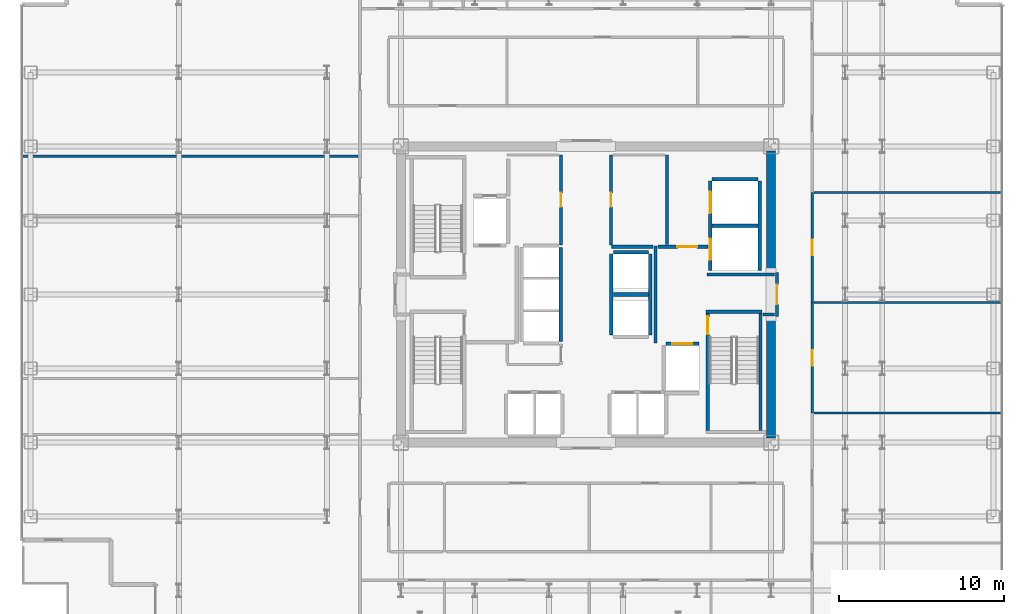
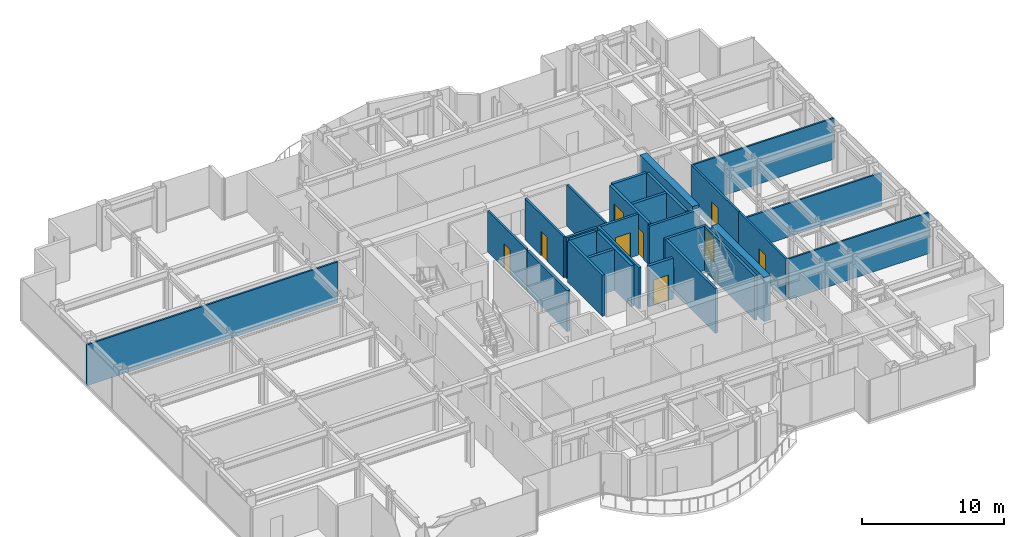
# One storey, part 18 of 23: 30 walls, 10 doors, 10 openings.
"""IFC4 building model written with IfcOpenShell, lengths in metres."""

from ifc_helpers import new_model, si_unit, direction, frame, frame_2d, origin, place, context, subcontext, project, spatial, rectangle, extrude, source, transform, mapped, material, layer, layer_set, type_object, element, fill, save


model = new_model("IFC4")

# Units and contexts
model_context = context("Model", 3, precision=1e-05, world=origin(), true_north=direction((0.0, 1.0)))
body_context = subcontext(model_context, "Body", "Model", "MODEL_VIEW")
ifc_project = project(units=[si_unit("LENGTHUNIT", "METRE"), si_unit("AREAUNIT", "SQUARE_METRE"), si_unit("VOLUMEUNIT", "CUBIC_METRE"), si_unit("PLANEANGLEUNIT", "RADIAN"), si_unit("MASSUNIT", "GRAM", prefix="KILO")], contexts=[model_context])

# Site, building, storey
site_placement = place(None, origin())
site = spatial("IfcSite", under=ifc_project, at=site_placement, CompositionType="ELEMENT")
building_placement = place(site_placement, origin())
building = spatial("IfcBuilding", under=site, at=building_placement, Name="Nefas-Gora Pilgrimage Tower", CompositionType="ELEMENT")
storey_placement = place(building_placement, frame((0.0, 0.0, 164.0)))
storey = spatial("IfcBuildingStorey", under=building, at=storey_placement, Name="L40", CompositionType="ELEMENT", Elevation=164.0)

# Walls
ifc_material_1 = material(Name="Concrete C60/75", Category="concrete")
ifc_layer_1 = layer(ifc_material_1, 0.550048828125)
ifc_layer_set_1 = layer_set([ifc_layer_1], Name="Concrete C60/75")
wall_type_1 = type_object("IfcWallType", Name="SW-CORE-550", PredefinedType="SHEAR", material=ifc_layer_set_1)
shared_shape_1 = source(origin(), body_context, "Body", "SweptSolid", [
    extrude(rectangle(XDim=7.375, YDim=0.550048828125, at=frame_2d((3.6875, 0.0))), origin(), (0.0, 0.0, 1.0), 3.800048828125),
])
for number, where, z_axis, x_axis, name in (
    (1, (11.25, -8.72509765625, 0.0), (0.0, 0.0, 1.0), (0.0, 1.0, 0.0), "L40 Core Shear Wall E-South"),
    (2, (11.25, 1.35009765625, 0.0), (0.0, 0.0, 1.0), (0.0, 1.0, 0.0), "L40 Core Shear Wall E-North"),
):
    element("IfcWall", number, at=place(storey_placement, frame(where, z_axis=z_axis, x_axis=x_axis)), inside=storey, type_object=wall_type_1, Name=name, PredefinedType="SHEAR", context=body_context, shape_type="MappedRepresentation", body=[
        mapped(shared_shape_1, transform((0.0, 0.0, 0.0), x_axis=(1.0, 0.0, 0.0), y_axis=(0.0, 1.0, 0.0), z_axis=(0.0, 0.0, 1.0), scale=1.0)),
    ])
ifc_material_2 = material(Name="Concrete C45/55", Category="concrete")
ifc_layer_2 = layer(ifc_material_2, 0.199951171875)
ifc_layer_set_2 = layer_set([ifc_layer_2], Name="Concrete C45/55")
wall_type_2 = type_object("IfcWallType", Name="IW-STAIR-200", PredefinedType="SOLIDWALL", material=ifc_layer_set_2)
shared_shape_2 = source(origin(), body_context, "Body", "SweptSolid", [
    extrude(rectangle(XDim=3.39990234375, YDim=0.199951171875, at=frame_2d((1.699951171875, 0.0))), origin(), (0.0, 0.0, 1.0), 3.800048828125),
])
wall_1_placement = place(storey_placement, frame((7.300048828125, -1.050048828125, 0.0), z_axis=(0.0, 0.0, 1.0), x_axis=(1.0, 0.0, 0.0)))
element("IfcWall", 3, at=wall_1_placement, inside=storey, type_object=wall_type_2, Name="L40 Stairwell Shear Wall ST-02-near", PredefinedType="SOLIDWALL", context=body_context, shape_type="MappedRepresentation", body=[
    mapped(shared_shape_2, transform((0.0, 0.0, 0.0), x_axis=(1.0, 0.0, 0.0), y_axis=(0.0, 1.0, 0.0), z_axis=(0.0, 0.0, 1.0), scale=1.0)),
])

# Wall, opening, door
shared_shape_3 = source(origin(), body_context, "Body", "SweptSolid", [
    extrude(rectangle(XDim=7.10009765625, YDim=0.199951171875, at=frame_2d((3.550048828125, 0.0))), origin(), (0.0, 0.0, 1.0), 3.800048828125),
])
wall_2_placement = place(storey_placement, frame((7.39990234375, -1.14990234375, 0.0), z_axis=(0.0, 0.0, 1.0), x_axis=(0.0, -1.0, 0.0)))
wall_2 = element("IfcWall", 4, at=wall_2_placement, inside=storey, type_object=wall_type_2, Name="L40 Stairwell Shear Wall ST-02-left", PredefinedType="SOLIDWALL", context=body_context, shape_type="MappedRepresentation", body=[
    mapped(shared_shape_3, transform((0.0, 0.0, 0.0), x_axis=(1.0, 0.0, 0.0), y_axis=(0.0, 1.0, 0.0), z_axis=(0.0, 0.0, 1.0), scale=1.0)),
])
opening_1_placement = place(wall_2_placement, frame((0.179931640625, 0.0, 0.0)))
opening_1 = element("IfcOpeningElement", 5, at=opening_1_placement, cuts=wall_2, Name="Opening ID-ST1", PredefinedType="OPENING", context=body_context, shape_type="SweptSolid", body=[
    extrude(rectangle(XDim=1.10009765625, YDim=2.14990234375, at=frame_2d((0.550048828125, 1.074951171875))), frame((0.0, 0.10986328125, 0.0), z_axis=(0.0, -1.0, 0.0), x_axis=(1.0, 0.0, 0.0)), (0.0, 0.0, 1.0), 0.219970703125),
])
ifc_material_3 = material(Name="Painted galvanised steel fire stair door", Category="steel")
door_type_1 = type_object("IfcDoorType", Name="DR-INT-STAIR-1100", OperationType="NOTDEFINED", PredefinedType="DOOR", material=ifc_material_3)
shared_shape_4 = source(origin(), body_context, "Body", "SweptSolid", [
    extrude(rectangle(XDim=1.10009765625, YDim=2.14990234375, at=frame_2d((0.550048828125, 1.074951171875))), frame((0.0, 0.02490234375, 0.0), z_axis=(0.0, -1.0, 0.0), x_axis=(1.0, 0.0, 0.0)), (0.0, 0.0, 1.0), 0.050048828125),
])
door_1_placement = place(opening_1_placement, origin())
door_1 = element("IfcDoor", 6, at=door_1_placement, inside=storey, type_object=door_type_1, Name="L40 Protected Exit Stair Door ST-02", OperationType="SINGLE_SWING_LEFT", OverallHeight=2.14990234375, OverallWidth=1.10009765625, PredefinedType="DOOR", context=body_context, shape_type="MappedRepresentation", body=[
    mapped(shared_shape_4, transform((0.0, 0.0, 0.0), x_axis=(1.0, 0.0, 0.0), y_axis=(0.0, 1.0, 0.0), z_axis=(0.0, 0.0, 1.0), scale=1.0)),
])
fill(opening_1, door_1)

# Wall
wall_3_placement = place(storey_placement, frame((10.60009765625, -1.14990234375, 0.0), z_axis=(0.0, 0.0, 1.0), x_axis=(0.0, -1.0, 0.0)))
element("IfcWall", 7, at=wall_3_placement, inside=storey, type_object=wall_type_2, Name="L40 Stairwell Shear Wall ST-02-right", PredefinedType="SOLIDWALL", context=body_context, shape_type="MappedRepresentation", body=[
    mapped(shared_shape_3, transform((0.0, 0.0, 0.0), x_axis=(1.0, 0.0, 0.0), y_axis=(0.0, 1.0, 0.0), z_axis=(0.0, 0.0, 1.0), scale=1.0)),
])

# Wall, opening, door
ifc_material_4 = material(Name="Concrete C40/50", Category="concrete")
ifc_layer_3 = layer(ifc_material_4, 0.219970703125)
ifc_layer_set_3 = layer_set([ifc_layer_3], Name="Concrete C40/50")
wall_type_3 = type_object("IfcWallType", Name="IW-SHAFT-220", PredefinedType="SOLIDWALL", material=ifc_layer_set_3)
shared_shape_5 = source(origin(), body_context, "Body", "SweptSolid", [
    extrude(rectangle(XDim=2.0, YDim=0.219970703125, at=frame_2d((1.0, 0.0))), origin(), (0.0, 0.0, 1.0), 3.534912109375),
])
wall_4_placement = place(storey_placement, frame((6.85009765625, -2.989990234375, 0.0), z_axis=(0.0, 0.0, 1.0), x_axis=(-1.0, 0.0, 0.0)))
wall_4 = element("IfcWall", 8, at=wall_4_placement, inside=storey, type_object=wall_type_3, Name="L40 Hoistway Wall FFL-02-N", PredefinedType="SOLIDWALL", context=body_context, shape_type="MappedRepresentation", body=[
    mapped(shared_shape_5, transform((0.0, 0.0, 0.0), x_axis=(1.0, 0.0, 0.0), y_axis=(0.0, 1.0, 0.0), z_axis=(0.0, 0.0, 1.0), scale=1.0)),
])
opening_2_placement = place(wall_4_placement, frame((0.39990234375, 0.0, 0.0)))
opening_2 = element("IfcOpeningElement", 9, at=opening_2_placement, cuts=wall_4, Name="Opening LD-FF", PredefinedType="OPENING", context=body_context, shape_type="SweptSolid", body=[
    extrude(rectangle(XDim=1.199951171875, YDim=2.199951171875, at=frame_2d((0.60009765625, 1.10009765625))), frame((0.0, 0.119873046875, 0.0), z_axis=(0.0, -1.0, 0.0), x_axis=(1.0, 0.0, 0.0)), (0.0, 0.0, 1.0), 0.239990234375),
])
ifc_material_5 = material(Name="Fire-service sliding lift landing door")
door_type_2 = type_object("IfcDoorType", Name="DR-LIFT-FSAE-1200", OperationType="SLIDING_TO_LEFT", PredefinedType="DOOR", material=ifc_material_5)
shared_shape_6 = source(origin(), body_context, "Body", "SweptSolid", [
    extrude(rectangle(XDim=1.199951171875, YDim=2.199951171875, at=frame_2d((0.60009765625, 1.10009765625))), frame((0.0, 0.02490234375, 0.0), z_axis=(0.0, -1.0, 0.0), x_axis=(1.0, 0.0, 0.0)), (0.0, 0.0, 1.0), 0.050048828125),
])
door_2_placement = place(opening_2_placement, origin())
door_2 = element("IfcDoor", 10, at=door_2_placement, inside=storey, type_object=door_type_2, Name="L40 Sliding Lift Landing Door FFL-02", OperationType="SLIDING_TO_LEFT", OverallHeight=2.199951171875, OverallWidth=1.199951171875, PredefinedType="DOOR", context=body_context, shape_type="MappedRepresentation", body=[
    mapped(shared_shape_6, transform((0.0, 0.0, 0.0), x_axis=(1.0, 0.0, 0.0), y_axis=(0.0, 1.0, 0.0), z_axis=(0.0, 0.0, 1.0), scale=1.0)),
])
fill(opening_2, door_2)

# Wall, openings, doors
shared_shape_7 = source(origin(), body_context, "Body", "SweptSolid", [
    extrude(rectangle(XDim=5.449951171875, YDim=0.219970703125, at=frame_2d((2.72509765625, 0.0))), origin(), (0.0, 0.0, 1.0), 3.534912109375),
])
wall_5_placement = place(storey_placement, frame((7.5400390625, 6.89990234375, 0.0), z_axis=(0.0, 0.0, 1.0), x_axis=(0.0, -1.0, 0.0)))
wall_5 = element("IfcWall", 11, at=wall_5_placement, inside=storey, type_object=wall_type_3, Name="L40 Hoistway Wall SL-01-02-W", PredefinedType="SOLIDWALL", context=body_context, shape_type="MappedRepresentation", body=[
    mapped(shared_shape_7, transform((0.0, 0.0, 0.0), x_axis=(1.0, 0.0, 0.0), y_axis=(0.0, 1.0, 0.0), z_axis=(0.0, 0.0, 1.0), scale=1.0)),
])
opening_3_placement = place(wall_5_placement, frame((3.5, 0.0, 0.0)))
opening_3 = element("IfcOpeningElement", 12, at=opening_3_placement, cuts=wall_5, Name="Opening LD-SV", PredefinedType="OPENING", context=body_context, shape_type="SweptSolid", body=[
    extrude(rectangle(XDim=1.300048828125, YDim=2.300048828125, at=frame_2d((0.64990234375, 1.14990234375))), frame((0.0, 0.119873046875, 0.0), z_axis=(0.0, -1.0, 0.0), x_axis=(1.0, 0.0, 0.0)), (0.0, 0.0, 1.0), 0.239990234375),
])
opening_4_placement = place(wall_5_placement, frame((0.64990234375, 0.0, 0.0)))
opening_4 = element("IfcOpeningElement", 13, at=opening_4_placement, cuts=wall_5, Name="Opening LD-SV", PredefinedType="OPENING", context=body_context, shape_type="SweptSolid", body=[
    extrude(rectangle(XDim=1.300048828125, YDim=2.300048828125, at=frame_2d((0.64990234375, 1.14990234375))), frame((0.0, 0.119873046875, 0.0), z_axis=(0.0, -1.0, 0.0), x_axis=(1.0, 0.0, 0.0)), (0.0, 0.0, 1.0), 0.239990234375),
])
ifc_material_6 = material(Name="Heavy goods sliding lift landing door")
door_type_3 = type_object("IfcDoorType", Name="DR-LIFT-SERV-1300", OperationType="SLIDING_TO_RIGHT", PredefinedType="DOOR", material=ifc_material_6)
shared_shape_8 = source(origin(), body_context, "Body", "SweptSolid", [
    extrude(rectangle(XDim=1.300048828125, YDim=2.300048828125, at=frame_2d((0.64990234375, 1.14990234375))), frame((0.0, 0.02490234375, 0.0), z_axis=(0.0, -1.0, 0.0), x_axis=(1.0, 0.0, 0.0)), (0.0, 0.0, 1.0), 0.050048828125),
])
door_3_placement = place(opening_3_placement, origin())
door_3 = element("IfcDoor", 14, at=door_3_placement, inside=storey, type_object=door_type_3, Name="L40 Sliding Lift Landing Door SL-01", OperationType="SLIDING_TO_RIGHT", OverallHeight=2.300048828125, OverallWidth=1.300048828125, PredefinedType="DOOR", context=body_context, shape_type="MappedRepresentation", body=[
    mapped(shared_shape_8, transform((0.0, 0.0, 0.0), x_axis=(1.0, 0.0, 0.0), y_axis=(0.0, 1.0, 0.0), z_axis=(0.0, 0.0, 1.0), scale=1.0)),
])
fill(opening_3, door_3)
door_4_placement = place(opening_4_placement, origin())
door_4 = element("IfcDoor", 15, at=door_4_placement, inside=storey, type_object=door_type_3, Name="L40 Sliding Lift Landing Door SL-02", OperationType="SLIDING_TO_RIGHT", OverallHeight=2.300048828125, OverallWidth=1.300048828125, PredefinedType="DOOR", context=body_context, shape_type="MappedRepresentation", body=[
    mapped(shared_shape_8, transform((0.0, 0.0, 0.0), x_axis=(1.0, 0.0, 0.0), y_axis=(0.0, 1.0, 0.0), z_axis=(0.0, 0.0, 1.0), scale=1.0)),
])
fill(opening_4, door_4)

# Walls
wall_6_placement = place(storey_placement, frame((10.56005859375, 1.449951171875, 0.0), z_axis=(0.0, 0.0, 1.0), x_axis=(0.0, 1.0, 0.0)))
element("IfcWall", 16, at=wall_6_placement, inside=storey, type_object=wall_type_3, Name="L40 Hoistway Wall SL-01-02-E", PredefinedType="SOLIDWALL", context=body_context, shape_type="MappedRepresentation", body=[
    mapped(shared_shape_7, transform((0.0, 0.0, 0.0), x_axis=(1.0, 0.0, 0.0), y_axis=(0.0, 1.0, 0.0), z_axis=(0.0, 0.0, 1.0), scale=1.0)),
])
shared_shape_9 = source(origin(), body_context, "Body", "SweptSolid", [
    extrude(rectangle(XDim=2.780029296875, YDim=0.219970703125, at=frame_2d((1.39013671875, 0.0))), origin(), (0.0, 0.0, 1.0), 3.534912109375),
])
for number, where, z_axis, x_axis, name in (
    (17, (7.659912109375, 4.175048828125, 0.0), (0.0, 0.0, 1.0), (1.0, 0.0, 0.0), "L40 Hoistway Wall SL-01-02-DIV"),
    (18, (10.43994140625, 7.010009765625, 0.0), (0.0, 0.0, 1.0), (-1.0, 0.0, 0.0), "L40 Hoistway Wall SL-02-N"),
):
    element("IfcWall", number, at=place(storey_placement, frame(where, z_axis=z_axis, x_axis=x_axis)), inside=storey, type_object=wall_type_3, Name=name, PredefinedType="SOLIDWALL", context=body_context, shape_type="MappedRepresentation", body=[
        mapped(shared_shape_9, transform((0.0, 0.0, 0.0), x_axis=(1.0, 0.0, 0.0), y_axis=(0.0, 1.0, 0.0), z_axis=(0.0, 0.0, 1.0), scale=1.0)),
    ])
shared_shape_10 = source(origin(), body_context, "Body", "SweptSolid", [
    extrude(rectangle(XDim=5.7001953125, YDim=0.219970703125, at=frame_2d((2.85009765625, 0.0))), origin(), (0.0, 0.0, 1.0), 3.534912109375),
])
wall_7_placement = place(storey_placement, frame((-1.5400390625, -2.85009765625, 0.0), z_axis=(0.0, 0.0, 1.0), x_axis=(0.0, 1.0, 0.0)))
element("IfcWall", 19, at=wall_7_placement, inside=storey, type_object=wall_type_3, Name="L40 Hoistway Wall PL3-01-03-E", PredefinedType="SOLIDWALL", context=body_context, shape_type="MappedRepresentation", body=[
    mapped(shared_shape_10, transform((0.0, 0.0, 0.0), x_axis=(1.0, 0.0, 0.0), y_axis=(0.0, 1.0, 0.0), z_axis=(0.0, 0.0, 1.0), scale=1.0)),
])
shared_shape_11 = source(origin(), body_context, "Body", "SweptSolid", [
    extrude(rectangle(XDim=2.130126953125, YDim=0.219970703125, at=frame_2d((1.06494140625, 0.0))), origin(), (0.0, 0.0, 1.0), 3.534912109375),
])
for number, where, z_axis, x_axis, name in (
    (20, (1.659912109375, 0.0, 0.0), (0.0, 0.0, 1.0), (1.0, 0.0, 0.0), "L40 Hoistway Wall OBS-01-02-DIV"),
    (21, (3.7900390625, 2.56005859375, 0.0), (0.0, 0.0, 1.0), (-1.0, 0.0, 0.0), "L40 Hoistway Wall OBS-02-N"),
):
    element("IfcWall", number, at=place(storey_placement, frame(where, z_axis=z_axis, x_axis=x_axis)), inside=storey, type_object=wall_type_3, Name=name, PredefinedType="SOLIDWALL", context=body_context, shape_type="MappedRepresentation", body=[
        mapped(shared_shape_11, transform((0.0, 0.0, 0.0), x_axis=(1.0, 0.0, 0.0), y_axis=(0.0, 1.0, 0.0), z_axis=(0.0, 0.0, 1.0), scale=1.0)),
    ])
shared_shape_12 = source(origin(), body_context, "Body", "SweptSolid", [
    extrude(rectangle(XDim=4.89990234375, YDim=0.219970703125, at=frame_2d((2.449951171875, 0.0))), origin(), (0.0, 0.0, 1.0), 3.534912109375),
])
for number, where, z_axis, x_axis, name in (
    (22, (1.5400390625, 2.449951171875, 0.0), (0.0, 0.0, 1.0), (0.0, -1.0, 0.0), "L40 Hoistway Wall OBS-01-02-W"),
    (23, (3.909912109375, -2.449951171875, 0.0), (0.0, 0.0, 1.0), (0.0, 1.0, 0.0), "L40 Hoistway Wall OBS-01-02-E"),
):
    element("IfcWall", number, at=place(storey_placement, frame(where, z_axis=z_axis, x_axis=x_axis)), inside=storey, type_object=wall_type_3, Name=name, PredefinedType="SOLIDWALL", context=body_context, shape_type="MappedRepresentation", body=[
        mapped(shared_shape_12, transform((0.0, 0.0, 0.0), x_axis=(1.0, 0.0, 0.0), y_axis=(0.0, 1.0, 0.0), z_axis=(0.0, 0.0, 1.0), scale=1.0)),
    ])

# Wall, opening, door
ifc_material_7 = material(Name="Gypsum fire-rated shaftwall")
ifc_layer_4 = layer(ifc_material_7, 0.199951171875)
ifc_layer_set_4 = layer_set([ifc_layer_4], Name="Gypsum fire-rated shaftwall")
wall_type_4 = type_object("IfcWallType", Name="IW-FFLOB-200", PredefinedType="PARTITIONING", material=ifc_layer_set_4)
shared_shape_13 = source(origin(), body_context, "Body", "SweptSolid", [
    extrude(rectangle(XDim=2.7001953125, YDim=0.199951171875, at=frame_2d((1.35009765625, 0.0))), origin(), (0.0, 0.0, 1.0), 2.425048828125),
])
wall_8_placement = place(storey_placement, frame((11.60009765625, -1.35009765625, 0.0), z_axis=(0.0, 0.0, 1.0), x_axis=(0.0, 1.0, 0.0)))
wall_8 = element("IfcWall", 24, at=wall_8_placement, inside=storey, type_object=wall_type_4, Name="L40 FF Lobby East Portal Wall 9", PredefinedType="PARTITIONING", context=body_context, shape_type="MappedRepresentation", body=[
    mapped(shared_shape_13, transform((0.0, 0.0, 0.0), x_axis=(1.0, 0.0, 0.0), y_axis=(0.0, 1.0, 0.0), z_axis=(0.0, 0.0, 1.0), scale=1.0)),
])
opening_5_placement = place(wall_8_placement, frame((0.75, 0.0, 0.0)))
opening_5 = element("IfcOpeningElement", 25, at=opening_5_placement, cuts=wall_8, Name="Opening ID-FF1", PredefinedType="OPENING", context=body_context, shape_type="SweptSolid", body=[
    extrude(rectangle(XDim=1.199951171875, YDim=2.14990234375, at=frame_2d((0.60009765625, 1.074951171875))), frame((0.0, 0.10986328125, 0.0), z_axis=(0.0, -1.0, 0.0), x_axis=(1.0, 0.0, 0.0)), (0.0, 0.0, 1.0), 0.219970703125),
])
ifc_material_8 = material(Name="Smoke-sealed steel firefighting lobby door", Category="steel")
door_type_4 = type_object("IfcDoorType", Name="DR-INT-FFLOB-1200", OperationType="NOTDEFINED", PredefinedType="DOOR", material=ifc_material_8)
shared_shape_14 = source(origin(), body_context, "Body", "SweptSolid", [
    extrude(rectangle(XDim=1.199951171875, YDim=2.14990234375, at=frame_2d((0.60009765625, 1.074951171875))), frame((0.0, 0.02490234375, 0.0), z_axis=(0.0, -1.0, 0.0), x_axis=(1.0, 0.0, 0.0)), (0.0, 0.0, 1.0), 0.050048828125),
])
door_5_placement = place(opening_5_placement, origin())
door_5 = element("IfcDoor", 26, at=door_5_placement, inside=storey, type_object=door_type_4, Name="L40 FF Lobby East Portal Door 3", OperationType="SINGLE_SWING_RIGHT", OverallHeight=2.14990234375, OverallWidth=1.199951171875, PredefinedType="DOOR", context=body_context, shape_type="MappedRepresentation", body=[
    mapped(shared_shape_14, transform((0.0, 0.0, 0.0), x_axis=(1.0, 0.0, 0.0), y_axis=(0.0, 1.0, 0.0), z_axis=(0.0, 0.0, 1.0), scale=1.0)),
])
fill(opening_5, door_5)

# Walls
shared_shape_15 = source(origin(), body_context, "Body", "SweptSolid", [
    extrude(rectangle(XDim=5.89990234375, YDim=0.199951171875, at=frame_2d((2.949951171875, 0.0))), origin(), (0.0, 0.0, 1.0), 3.534912109375),
])
wall_9_placement = place(storey_placement, frame((4.219970703125, -2.949951171875, 0.0), z_axis=(0.0, 0.0, 1.0), x_axis=(0.0, 1.0, 0.0)))
element("IfcWall", 27, at=wall_9_placement, inside=storey, type_object=wall_type_4, Name="L40 FF Lobby East Inner Wall Wall 10", PredefinedType="PARTITIONING", context=body_context, shape_type="MappedRepresentation", body=[
    mapped(shared_shape_15, transform((0.0, 0.0, 0.0), x_axis=(1.0, 0.0, 0.0), y_axis=(0.0, 1.0, 0.0), z_axis=(0.0, 0.0, 1.0), scale=1.0)),
])
shared_shape_16 = source(origin(), body_context, "Body", "SweptSolid", [
    extrude(rectangle(XDim=0.719970703125, YDim=0.199951171875, at=frame_2d((0.35986328125, 0.0))), origin(), (0.0, 0.0, 1.0), 3.534912109375),
])
wall_10_placement = place(storey_placement, frame((10.739990234375, -1.219970703125, 0.0), z_axis=(0.0, 0.0, 1.0), x_axis=(1.0, 0.0, 0.0)))
element("IfcWall", 28, at=wall_10_placement, inside=storey, type_object=wall_type_4, Name="L40 FF Lobby East Throat S Wall 14", PredefinedType="PARTITIONING", context=body_context, shape_type="MappedRepresentation", body=[
    mapped(shared_shape_16, transform((0.0, 0.0, 0.0), x_axis=(1.0, 0.0, 0.0), y_axis=(0.0, 1.0, 0.0), z_axis=(0.0, 0.0, 1.0), scale=1.0)),
])

# Wall, opening, door
shared_shape_17 = source(origin(), body_context, "Body", "SweptSolid", [
    extrude(rectangle(XDim=3.039794921875, YDim=0.199951171875, at=frame_2d((1.52001953125, 0.0))), origin(), (0.0, 0.0, 1.0), 3.534912109375),
])
wall_11_placement = place(storey_placement, frame((4.360107421875, 2.89990234375, 0.0), z_axis=(0.0, 0.0, 1.0), x_axis=(1.0, 0.0, 0.0)))
wall_11 = element("IfcWall", 29, at=wall_11_placement, inside=storey, type_object=wall_type_4, Name="L40 FF Lobby East North Wall Wall 12", PredefinedType="PARTITIONING", context=body_context, shape_type="MappedRepresentation", body=[
    mapped(shared_shape_17, transform((0.0, 0.0, 0.0), x_axis=(1.0, 0.0, 0.0), y_axis=(0.0, 1.0, 0.0), z_axis=(0.0, 0.0, 1.0), scale=1.0)),
])
opening_6_placement = place(wall_11_placement, frame((1.18994140625, 0.0, 0.0)))
opening_6 = element("IfcOpeningElement", 30, at=opening_6_placement, cuts=wall_11, Name="Opening ID-PL1", PredefinedType="OPENING", context=body_context, shape_type="SweptSolid", body=[
    extrude(rectangle(XDim=1.199951171875, YDim=2.14990234375, at=frame_2d((0.60009765625, 1.074951171875))), frame((0.0, 0.10986328125, 0.0), z_axis=(0.0, -1.0, 0.0), x_axis=(1.0, 0.0, 0.0)), (0.0, 0.0, 1.0), 0.219970703125),
])
ifc_material_9 = material(Name="Heavy-duty steel plant room fire door", Category="steel")
door_type_5 = type_object("IfcDoorType", Name="DR-INT-PLANT-1200", OperationType="NOTDEFINED", PredefinedType="DOOR", material=ifc_material_9)
door_6_placement = place(opening_6_placement, origin())
door_6 = element("IfcDoor", 31, at=door_6_placement, inside=storey, type_object=door_type_5, Name="L40 Service Lift Lobby Door Door 4", OperationType="SINGLE_SWING_LEFT", OverallHeight=2.14990234375, OverallWidth=1.199951171875, PredefinedType="DOOR", context=body_context, shape_type="MappedRepresentation", body=[
    mapped(shared_shape_14, transform((0.0, 0.0, 0.0), x_axis=(1.0, 0.0, 0.0), y_axis=(0.0, 1.0, 0.0), z_axis=(0.0, 0.0, 1.0), scale=1.0)),
])
fill(opening_6, door_6)

# Walls
shared_shape_18 = source(origin(), body_context, "Body", "SweptSolid", [
    extrude(rectangle(XDim=4.10986328125, YDim=0.199951171875, at=frame_2d((2.054931640625, 0.0))), origin(), (0.0, 0.0, 1.0), 3.534912109375),
])
wall_12_placement = place(storey_placement, frame((7.35009765625, 1.219970703125, 0.0), z_axis=(0.0, 0.0, 1.0), x_axis=(1.0, 0.0, 0.0)))
element("IfcWall", 32, at=wall_12_placement, inside=storey, type_object=wall_type_4, Name="L40 FF Lobby East Throat N Wall 13", PredefinedType="PARTITIONING", context=body_context, shape_type="MappedRepresentation", body=[
    mapped(shared_shape_18, transform((0.0, 0.0, 0.0), x_axis=(1.0, 0.0, 0.0), y_axis=(0.0, 1.0, 0.0), z_axis=(0.0, 0.0, 1.0), scale=1.0)),
])
ifc_material_10 = material(Name="Gypsum twin-stud partition")
ifc_layer_5 = layer(ifc_material_10, 0.139892578125)
ifc_layer_set_5 = layer_set([ifc_layer_5], Name="Gypsum twin-stud partition")
wall_type_5 = type_object("IfcWallType", Name="IW-UNIT-140", PredefinedType="PARTITIONING", material=ifc_layer_set_5)
shared_shape_19 = source(origin(), body_context, "Body", "SweptSolid", [
    extrude(rectangle(XDim=20.429931640625, YDim=0.139892578125, at=frame_2d((10.21484375, 0.0))), origin(), (0.0, 0.0, 1.0), 3.534912109375),
])
wall_13_placement = place(storey_placement, frame((-34.2900390625, 8.39501953125, 0.0), z_axis=(0.0, 0.0, 1.0), x_axis=(1.0, 0.0, 0.0)))
element("IfcWall", 33, at=wall_13_placement, inside=storey, type_object=wall_type_5, Name="L40 Pilgrim Fellowship Seminar Room Partition Wall 35", PredefinedType="PARTITIONING", context=body_context, shape_type="MappedRepresentation", body=[
    mapped(shared_shape_19, transform((0.0, 0.0, 0.0), x_axis=(1.0, 0.0, 0.0), y_axis=(0.0, 1.0, 0.0), z_axis=(0.0, 0.0, 1.0), scale=1.0)),
])
shared_shape_20 = source(origin(), body_context, "Body", "SweptSolid", [
    extrude(rectangle(XDim=11.429931640625, YDim=0.139892578125, at=frame_2d((5.71484375, 0.0))), origin(), (0.0, 0.0, 1.0), 3.534912109375),
])
for number, where, z_axis, x_axis, name in (
    (34, (13.860107421875, -7.205078125, 0.0), (0.0, 0.0, 1.0), (1.0, 0.0, 0.0), "L40 Pilgrim Contemplative Lounge Partition Wall 40"),
    (35, (13.860107421875, 6.195068359375, 0.0), (0.0, 0.0, 1.0), (1.0, 0.0, 0.0), "L40 Pilgrim Contemplative Lounge Partition Wall 42"),
):
    element("IfcWall", number, at=place(storey_placement, frame(where, z_axis=z_axis, x_axis=x_axis)), inside=storey, type_object=wall_type_5, Name=name, PredefinedType="PARTITIONING", context=body_context, shape_type="MappedRepresentation", body=[
        mapped(shared_shape_20, transform((0.0, 0.0, 0.0), x_axis=(1.0, 0.0, 0.0), y_axis=(0.0, 1.0, 0.0), z_axis=(0.0, 0.0, 1.0), scale=1.0)),
    ])
shared_shape_21 = source(origin(), body_context, "Body", "SweptSolid", [
    extrude(rectangle(XDim=2.52001953125, YDim=0.199951171875, at=frame_2d((1.260009765625, 0.0))), origin(), (0.0, 0.0, 1.0), 3.534912109375),
])
wall_14_placement = place(storey_placement, frame((1.56005859375, 2.89990234375, 0.0), z_axis=(0.0, 0.0, 1.0), x_axis=(1.0, 0.0, 0.0)))
element("IfcWall", 36, at=wall_14_placement, inside=storey, type_object=wall_type_4, Name="L40 FF Lobby East North Wall Wall 11", PredefinedType="PARTITIONING", context=body_context, shape_type="MappedRepresentation", body=[
    mapped(shared_shape_21, transform((0.0, 0.0, 0.0), x_axis=(1.0, 0.0, 0.0), y_axis=(0.0, 1.0, 0.0), z_axis=(0.0, 0.0, 1.0), scale=1.0)),
])
ifc_material_11 = material(Name="Gypsum acoustic stud partition")
ifc_layer_6 = layer(ifc_material_11, 0.159912109375)
ifc_layer_set_6 = layer_set([ifc_layer_6], Name="Gypsum acoustic stud partition")
wall_type_6 = type_object("IfcWallType", Name="IW-CORR-160", PredefinedType="PARTITIONING", material=ifc_layer_set_6)
shared_shape_22 = source(origin(), body_context, "Body", "SweptSolid", [
    extrude(rectangle(XDim=5.449951171875, YDim=0.159912109375, at=frame_2d((2.72509765625, 0.0))), origin(), (0.0, 0.0, 1.0), 3.534912109375),
])
wall_15_placement = place(storey_placement, frame((4.919921875, 3.0400390625, 0.0), z_axis=(0.0, 0.0, 1.0), x_axis=(0.0, 1.0, 0.0)))
element("IfcWall", 37, at=wall_15_placement, inside=storey, type_object=wall_type_6, Name="L40 Service Lift Lobby West Wall Wall 17", PredefinedType="PARTITIONING", context=body_context, shape_type="MappedRepresentation", body=[
    mapped(shared_shape_22, transform((0.0, 0.0, 0.0), x_axis=(1.0, 0.0, 0.0), y_axis=(0.0, 1.0, 0.0), z_axis=(0.0, 0.0, 1.0), scale=1.0)),
])
shared_shape_23 = source(origin(), body_context, "Body", "SweptSolid", [
    extrude(rectangle(XDim=11.429931640625, YDim=0.139892578125, at=frame_2d((5.71484375, 0.0))), origin(), (0.0, 0.0, 1.0), 2.875),
])
wall_16_placement = place(storey_placement, frame((13.860107421875, -0.489990234375, 0.0), z_axis=(0.0, 0.0, 1.0), x_axis=(1.0, 0.0, 0.0)))
element("IfcWall", 38, at=wall_16_placement, inside=storey, type_object=wall_type_5, Name="L40 Pilgrim Contemplative Lounge Partition Wall 43", PredefinedType="PARTITIONING", context=body_context, shape_type="MappedRepresentation", body=[
    mapped(shared_shape_23, transform((0.0, 0.0, 0.0), x_axis=(1.0, 0.0, 0.0), y_axis=(0.0, 1.0, 0.0), z_axis=(0.0, 0.0, 1.0), scale=1.0)),
])

# Wall, opening, door
shared_shape_24 = source(origin(), body_context, "Body", "SweptSolid", [
    extrude(rectangle(XDim=5.47998046875, YDim=0.159912109375, at=frame_2d((2.739990234375, 0.0))), origin(), (0.0, 0.0, 1.0), 3.534912109375),
])
wall_17_placement = place(storey_placement, frame((-1.52001953125, 3.010009765625, 0.0), z_axis=(0.0, 0.0, 1.0), x_axis=(0.0, 1.0, 0.0)))
wall_17 = element("IfcWall", 39, at=wall_17_placement, inside=storey, type_object=wall_type_6, Name="L40 Housekeeping and Linen Store Wall 18", PredefinedType="PARTITIONING", context=body_context, shape_type="MappedRepresentation", body=[
    mapped(shared_shape_24, transform((0.0, 0.0, 0.0), x_axis=(1.0, 0.0, 0.0), y_axis=(0.0, 1.0, 0.0), z_axis=(0.0, 0.0, 1.0), scale=1.0)),
])
opening_7_placement = place(wall_17_placement, frame((2.31494140625, 0.0, 0.0)))
opening_7 = element("IfcOpeningElement", 40, at=opening_7_placement, cuts=wall_17, Name="Opening ID-BT1", PredefinedType="OPENING", context=body_context, shape_type="SweptSolid", body=[
    extrude(rectangle(XDim=0.85009765625, YDim=2.10009765625, at=frame_2d((0.425048828125, 1.050048828125))), frame((0.0, 0.08984375, 0.0), z_axis=(0.0, -1.0, 0.0), x_axis=(1.0, 0.0, 0.0)), (0.0, 0.0, 1.0), 0.179931640625),
])
ifc_material_12 = material(Name="Moisture-resistant fire-rated timber door", Category="wood")
door_type_6 = type_object("IfcDoorType", Name="DR-INT-BATH-850", OperationType="NOTDEFINED", PredefinedType="DOOR", material=ifc_material_12)
shared_shape_25 = source(origin(), body_context, "Body", "SweptSolid", [
    extrude(rectangle(XDim=0.85009765625, YDim=2.10009765625, at=frame_2d((0.425048828125, 1.050048828125))), frame((0.0, 0.02490234375, 0.0), z_axis=(0.0, -1.0, 0.0), x_axis=(1.0, 0.0, 0.0)), (0.0, 0.0, 1.0), 0.050048828125),
])
door_7_placement = place(opening_7_placement, origin())
door_7 = element("IfcDoor", 41, at=door_7_placement, inside=storey, type_object=door_type_6, Name="L40 Housekeeping and Linen Store Door 7", OperationType="SINGLE_SWING_RIGHT", OverallHeight=2.10009765625, OverallWidth=0.85009765625, PredefinedType="DOOR", context=body_context, shape_type="MappedRepresentation", body=[
    mapped(shared_shape_25, transform((0.0, 0.0, 0.0), x_axis=(1.0, 0.0, 0.0), y_axis=(0.0, 1.0, 0.0), z_axis=(0.0, 0.0, 1.0), scale=1.0)),
])
fill(opening_7, door_7)

wall_18_placement = place(storey_placement, frame((1.52001953125, 3.010009765625, 0.0), z_axis=(0.0, 0.0, 1.0), x_axis=(0.0, 1.0, 0.0)))
wall_18 = element("IfcWall", 42, at=wall_18_placement, inside=storey, type_object=wall_type_6, Name="L40 Freed Bank-1 Amenity Supply Store Wall 23", PredefinedType="PARTITIONING", context=body_context, shape_type="MappedRepresentation", body=[
    mapped(shared_shape_24, transform((0.0, 0.0, 0.0), x_axis=(1.0, 0.0, 0.0), y_axis=(0.0, 1.0, 0.0), z_axis=(0.0, 0.0, 1.0), scale=1.0)),
])
opening_8_placement = place(wall_18_placement, frame((2.31494140625, 0.0, 0.0)))
opening_8 = element("IfcOpeningElement", 43, at=opening_8_placement, cuts=wall_18, Name="Opening ID-BT1", PredefinedType="OPENING", context=body_context, shape_type="SweptSolid", body=[
    extrude(rectangle(XDim=0.85009765625, YDim=2.10009765625, at=frame_2d((0.425048828125, 1.050048828125))), frame((0.0, 0.08984375, 0.0), z_axis=(0.0, -1.0, 0.0), x_axis=(1.0, 0.0, 0.0)), (0.0, 0.0, 1.0), 0.179931640625),
])
door_8_placement = place(opening_8_placement, origin())
door_8 = element("IfcDoor", 44, at=door_8_placement, inside=storey, type_object=door_type_6, Name="L40 Freed Bank-1 Amenity Supply Store Door 9", OperationType="SINGLE_SWING_RIGHT", OverallHeight=2.10009765625, OverallWidth=0.85009765625, PredefinedType="DOOR", context=body_context, shape_type="MappedRepresentation", body=[
    mapped(shared_shape_25, transform((0.0, 0.0, 0.0), x_axis=(1.0, 0.0, 0.0), y_axis=(0.0, 1.0, 0.0), z_axis=(0.0, 0.0, 1.0), scale=1.0)),
])
fill(opening_8, door_8)

shared_shape_26 = source(origin(), body_context, "Body", "SweptSolid", [
    extrude(rectangle(XDim=6.705078125, YDim=0.159912109375, at=frame_2d((3.3525390625, 0.0))), origin(), (0.0, 0.0, 1.0), 3.534912109375),
])
wall_19_placement = place(storey_placement, frame((13.739990234375, -0.5, 0.0), z_axis=(0.0, 0.0, 1.0), x_axis=(0.0, 1.0, 0.0)))
wall_19 = element("IfcWall", 45, at=wall_19_placement, inside=storey, type_object=wall_type_6, Name="L40 Pilgrim Contemplative Lounge Partition Wall 41", PredefinedType="PARTITIONING", context=body_context, shape_type="MappedRepresentation", body=[
    mapped(shared_shape_26, transform((0.0, 0.0, 0.0), x_axis=(1.0, 0.0, 0.0), y_axis=(0.0, 1.0, 0.0), z_axis=(0.0, 0.0, 1.0), scale=1.0)),
])
opening_9_placement = place(wall_19_placement, frame((2.87744140625, 0.0, 0.0)))
opening_9 = element("IfcOpeningElement", 46, at=opening_9_placement, cuts=wall_19, Name="Opening ID-GR1", PredefinedType="OPENING", context=body_context, shape_type="SweptSolid", body=[
    extrude(rectangle(XDim=0.949951171875, YDim=2.10009765625, at=frame_2d((0.47509765625, 1.050048828125))), frame((0.0, 0.08984375, 0.0), z_axis=(0.0, -1.0, 0.0), x_axis=(1.0, 0.0, 0.0)), (0.0, 0.0, 1.0), 0.179931640625),
])
ifc_material_13 = material(Name="Solid core oak fire-rated guest entrance door")
door_type_7 = type_object("IfcDoorType", Name="DR-INT-GUEST-950", OperationType="NOTDEFINED", PredefinedType="DOOR", material=ifc_material_13)
shared_shape_27 = source(origin(), body_context, "Body", "SweptSolid", [
    extrude(rectangle(XDim=0.949951171875, YDim=2.10009765625, at=frame_2d((0.47509765625, 1.050048828125))), frame((0.0, 0.02490234375, 0.0), z_axis=(0.0, -1.0, 0.0), x_axis=(1.0, 0.0, 0.0)), (0.0, 0.0, 1.0), 0.050048828125),
])
door_9_placement = place(opening_9_placement, origin())
door_9 = element("IfcDoor", 47, at=door_9_placement, inside=storey, type_object=door_type_7, Name="L40 Pilgrim Contemplative Lounge Door 18", OperationType="SINGLE_SWING_LEFT", OverallHeight=2.10009765625, OverallWidth=0.949951171875, PredefinedType="DOOR", context=body_context, shape_type="MappedRepresentation", body=[
    mapped(shared_shape_27, transform((0.0, 0.0, 0.0), x_axis=(1.0, 0.0, 0.0), y_axis=(0.0, 1.0, 0.0), z_axis=(0.0, 0.0, 1.0), scale=1.0)),
])
fill(opening_9, door_9)

wall_20_placement = place(storey_placement, frame((13.739990234375, -7.205078125, 0.0), z_axis=(0.0, 0.0, 1.0), x_axis=(0.0, 1.0, 0.0)))
wall_20 = element("IfcWall", 48, at=wall_20_placement, inside=storey, type_object=wall_type_6, Name="L40 Pilgrim Contemplative Lounge Partition Wall 44", PredefinedType="PARTITIONING", context=body_context, shape_type="MappedRepresentation", body=[
    mapped(shared_shape_26, transform((0.0, 0.0, 0.0), x_axis=(1.0, 0.0, 0.0), y_axis=(0.0, 1.0, 0.0), z_axis=(0.0, 0.0, 1.0), scale=1.0)),
])
opening_10_placement = place(wall_20_placement, frame((2.87744140625, 0.0, 0.0)))
opening_10 = element("IfcOpeningElement", 49, at=opening_10_placement, cuts=wall_20, Name="Opening ID-GR1", PredefinedType="OPENING", context=body_context, shape_type="SweptSolid", body=[
    extrude(rectangle(XDim=0.949951171875, YDim=2.10009765625, at=frame_2d((0.47509765625, 1.050048828125))), frame((0.0, 0.08984375, 0.0), z_axis=(0.0, -1.0, 0.0), x_axis=(1.0, 0.0, 0.0)), (0.0, 0.0, 1.0), 0.179931640625),
])
door_10_placement = place(opening_10_placement, origin())
door_10 = element("IfcDoor", 50, at=door_10_placement, inside=storey, type_object=door_type_7, Name="L40 Pilgrim Contemplative Lounge Door 19", OperationType="SINGLE_SWING_RIGHT", OverallHeight=2.10009765625, OverallWidth=0.949951171875, PredefinedType="DOOR", context=body_context, shape_type="MappedRepresentation", body=[
    mapped(shared_shape_27, transform((0.0, 0.0, 0.0), x_axis=(1.0, 0.0, 0.0), y_axis=(0.0, 1.0, 0.0), z_axis=(0.0, 0.0, 1.0), scale=1.0)),
])
fill(opening_10, door_10)

save(model, "model.ifc")
